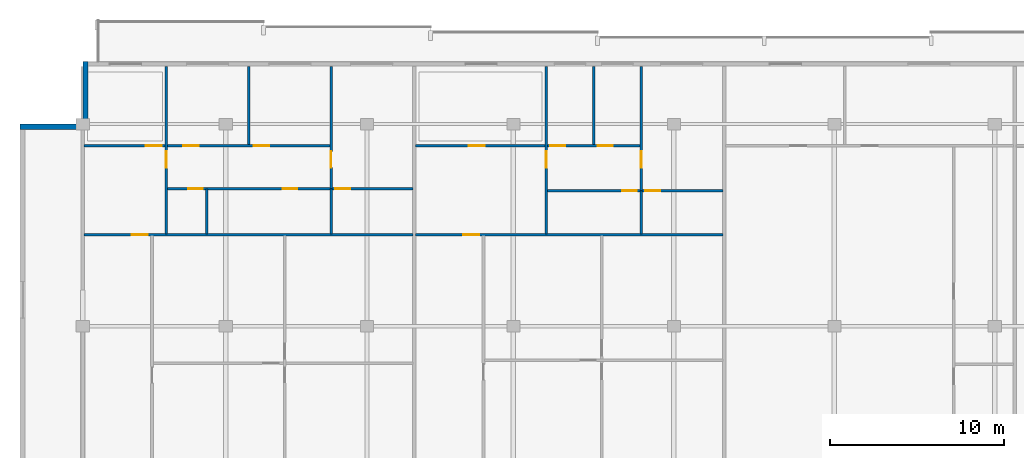
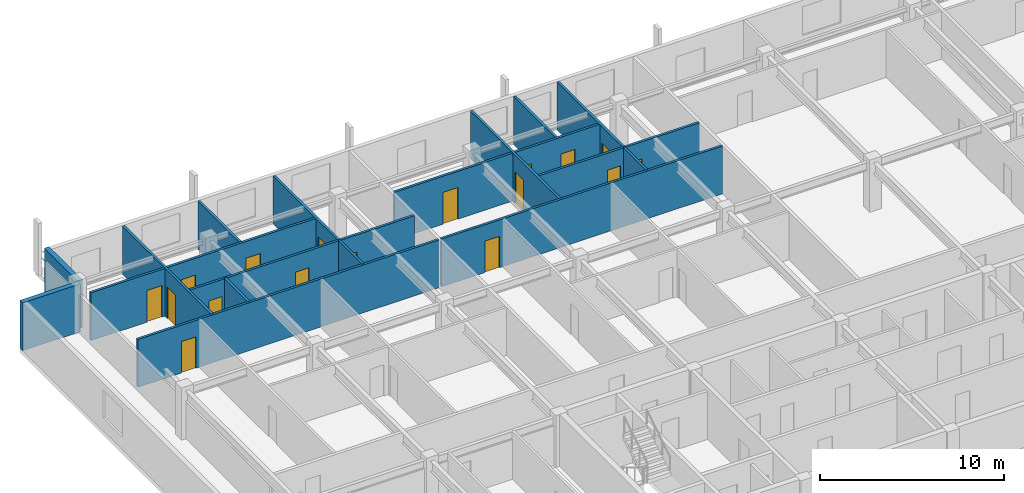
# One storey, part 7 of 11: 17 doors, 17 walls, 17 openings.
"""IFC4 building model written with IfcOpenShell, lengths in metres."""

from ifc_helpers import new_model, si_unit, direction, frame, frame_2d, origin, place, context, subcontext, project, spatial, rectangle, extrude, material, layer, layer_set, type_object, element, fill, save


model = new_model("IFC4")

# Units and contexts
model_context = context("Model", 3, precision=1e-05, world=origin(), true_north=direction((0.0, 1.0)))
body_context = subcontext(model_context, "Body", "Model", "MODEL_VIEW")
ifc_project = project(units=[si_unit("LENGTHUNIT", "METRE"), si_unit("AREAUNIT", "SQUARE_METRE"), si_unit("VOLUMEUNIT", "CUBIC_METRE"), si_unit("PLANEANGLEUNIT", "RADIAN"), si_unit("MASSUNIT", "GRAM", prefix="KILO")], contexts=[model_context])

# Site, building, storey
site_placement = place(None, origin())
site = spatial("IfcSite", under=ifc_project, at=site_placement, CompositionType="ELEMENT")
building_placement = place(site_placement, origin())
building = spatial("IfcBuilding", under=site, at=building_placement, Name="Korimba Cascade Residences", CompositionType="ELEMENT")
storey_placement = place(building_placement, frame((0.0, 0.0, 256.25)))
storey = spatial("IfcBuildingStorey", under=building, at=storey_placement, Name="L74", CompositionType="ELEMENT", Elevation=256.25)

# Walls
ifc_material_1 = material(Name="Precast concrete C40/50", Category="concrete")
ifc_layer_1 = layer(ifc_material_1, 0.300048828125)
ifc_layer_set_1 = layer_set([ifc_layer_1], Name="Precast concrete C40/50")
wall_type_1 = type_object("IfcWallType", Name="EW-STONE-300", PredefinedType="STANDARD", material=ifc_layer_set_1)
for number, where, z_axis, x_axis, name in (
    (1, (59.949951171875, 94.800048828125, 0.0), (0.0, 0.0, 1.0), (0.0, -1.0, 0.0), "L74 T1 Perimeter Stone Wall E07"),
    (2, (59.800048828125, 91.050048828125, 0.0), (0.0, 0.0, 1.0), (-1.0, 0.0, 0.0), "L74 T1 Perimeter Stone Wall E08"),
):
    element("IfcWall", number, at=place(storey_placement, frame(where, z_axis=z_axis, x_axis=x_axis)), inside=storey, type_object=wall_type_1, Name=name, PredefinedType="STANDARD", context=body_context, shape_type="SweptSolid", body=[
        extrude(rectangle(XDim=3.60009765625, YDim=0.300048828125, at=frame_2d((1.800048828125, 0.0))), origin(), (0.0, 0.0, 1.0), 3.169921875),
    ])
ifc_material_2 = material(Name="Insulated Acoustic Stud Partition", Category="gypsum")
ifc_layer_2 = layer(ifc_material_2, 0.14990234375)
ifc_layer_set_2 = layer_set([ifc_layer_2], Name="Insulated Acoustic Stud Partition")
wall_type_2 = type_object("IfcWallType", Name="WAL-PART-150", PredefinedType="PARTITIONING", material=ifc_layer_set_2)
wall_1_placement = place(storey_placement, frame((66.89990234375, 84.889892578125, 0.0), z_axis=(0.0, 0.0, 1.0), x_axis=(0.0, 1.0, 0.0)))
element("IfcWall", 3, at=wall_1_placement, inside=storey, type_object=wall_type_2, Name="L74 Partition Wall WAL-L74-T1-U01-VDRS", PredefinedType="PARTITIONING", context=body_context, shape_type="SweptSolid", body=[
    extrude(rectangle(XDim=2.580078125, YDim=0.14990234375, at=frame_2d((1.2900390625, 0.0))), origin(), (0.0, 0.0, 1.0), 3.169921875),
])
wall_2_placement = place(storey_placement, frame((69.314453125, 90.030029296875, 0.0), z_axis=(0.0, 0.0, 1.0), x_axis=(0.0, 1.0, 0.0)))
element("IfcWall", 4, at=wall_2_placement, inside=storey, type_object=wall_type_2, Name="L74 Partition Wall WAL-L74-T1-U01-VB3", PredefinedType="PARTITIONING", context=body_context, shape_type="SweptSolid", body=[
    extrude(rectangle(XDim=4.469970703125, YDim=0.14990234375, at=frame_2d((2.23486328125, 0.0))), origin(), (0.0, 0.0, 1.0), 3.169921875),
])

# Wall, opening, door
wall_3_placement = place(storey_placement, frame((64.590087890625, 84.889892578125, 0.0), z_axis=(0.0, 0.0, 1.0), x_axis=(0.0, 1.0, 0.0)))
wall_3 = element("IfcWall", 5, at=wall_3_placement, inside=storey, type_object=wall_type_2, Name="L74 Partition Wall WAL-L74-T1-U01-V1", PredefinedType="PARTITIONING", context=body_context, shape_type="SweptSolid", body=[
    extrude(rectangle(XDim=9.610107421875, YDim=0.14990234375, at=frame_2d((4.80517578125, 0.0))), origin(), (0.0, 0.0, 1.0), 3.169921875),
])
opening_1_placement = place(wall_3_placement, frame((3.820068359375, 0.0, 0.0)))
opening_1 = element("IfcOpeningElement", 6, at=opening_1_placement, cuts=wall_3, Name="Opening D-IN1", PredefinedType="OPENING", context=body_context, shape_type="SweptSolid", body=[
    extrude(rectangle(XDim=0.919921875, YDim=2.080078125, at=frame_2d((0.4599609375, 1.0400390625))), frame((0.0, 0.0849609375, 0.0), z_axis=(0.0, -1.0, 0.0), x_axis=(1.0, 0.0, 0.0)), (0.0, 0.0, 1.0), 0.169921875),
])
ifc_material_3 = material(Name="Acoustic Timber Living Door", Category="wood")
door_type_1 = type_object("IfcDoorType", Name="DR-INT-920", OperationType="NOTDEFINED", PredefinedType="DOOR", material=ifc_material_3)
door_1_placement = place(opening_1_placement, origin())
door_1 = element("IfcDoor", 7, at=door_1_placement, inside=storey, type_object=door_type_1, Name="L74-T1-U01 Hallway Door", OperationType="SINGLE_SWING_LEFT", OverallHeight=2.080078125, OverallWidth=0.919921875, PredefinedType="DOOR", context=body_context, shape_type="SweptSolid", body=[
    extrude(rectangle(XDim=0.919921875, YDim=2.080078125, at=frame_2d((0.4599609375, 1.0400390625))), frame((0.0, 0.02490234375, 0.0), z_axis=(0.0, -1.0, 0.0), x_axis=(1.0, 0.0, 0.0)), (0.0, 0.0, 1.0), 0.050048828125),
])
fill(opening_1, door_1)

# Wall
wall_4_placement = place(storey_placement, frame((74.0390625, 84.889892578125, 0.0), z_axis=(0.0, 0.0, 1.0), x_axis=(0.0, 1.0, 0.0)))
element("IfcWall", 8, at=wall_4_placement, inside=storey, type_object=wall_type_2, Name="L74 Partition Wall WAL-L74-T1-U01-VBATH", PredefinedType="PARTITIONING", context=body_context, shape_type="SweptSolid", body=[
    extrude(rectangle(XDim=2.580078125, YDim=0.14990234375, at=frame_2d((1.2900390625, 0.0))), origin(), (0.0, 0.0, 1.0), 3.169921875),
])

# Wall, opening, door
wall_5_placement = place(storey_placement, frame((74.0390625, 87.510009765625, 0.0), z_axis=(0.0, 0.0, 1.0), x_axis=(0.0, 1.0, 0.0)))
wall_5 = element("IfcWall", 9, at=wall_5_placement, inside=storey, type_object=wall_type_2, Name="L74 Partition Wall WAL-L74-T1-U01-V2FULL", PredefinedType="PARTITIONING", context=body_context, shape_type="SweptSolid", body=[
    extrude(rectangle(XDim=6.989990234375, YDim=0.14990234375, at=frame_2d((3.4951171875, 0.0))), origin(), (0.0, 0.0, 1.0), 3.169921875),
])
opening_2_placement = place(wall_5_placement, frame((1.199951171875, 0.0, 0.0)))
opening_2 = element("IfcOpeningElement", 10, at=opening_2_placement, cuts=wall_5, Name="Opening D-IN1", PredefinedType="OPENING", context=body_context, shape_type="SweptSolid", body=[
    extrude(rectangle(XDim=0.919921875, YDim=2.080078125, at=frame_2d((0.4599609375, 1.0400390625))), frame((0.0, 0.0849609375, 0.0), z_axis=(0.0, -1.0, 0.0), x_axis=(1.0, 0.0, 0.0)), (0.0, 0.0, 1.0), 0.169921875),
])
door_2_placement = place(opening_2_placement, origin())
door_2 = element("IfcDoor", 11, at=door_2_placement, inside=storey, type_object=door_type_1, Name="L74-T1-U01 Master Bedroom Door", OperationType="SINGLE_SWING_RIGHT", OverallHeight=2.080078125, OverallWidth=0.919921875, PredefinedType="DOOR", context=body_context, shape_type="SweptSolid", body=[
    extrude(rectangle(XDim=0.919921875, YDim=2.080078125, at=frame_2d((0.4599609375, 1.0400390625))), frame((0.0, 0.02490234375, 0.0), z_axis=(0.0, -1.0, 0.0), x_axis=(1.0, 0.0, 0.0)), (0.0, 0.0, 1.0), 0.050048828125),
])
fill(opening_2, door_2)

# Wall, openings, doors
wall_6_placement = place(storey_placement, frame((64.6298828125, 87.489990234375, 0.0), z_axis=(0.0, 0.0, 1.0), x_axis=(1.0, 0.0, 0.0)))
wall_6 = element("IfcWall", 12, at=wall_6_placement, inside=storey, type_object=wall_type_2, Name="L74 Partition Wall WAL-L74-T1-U01-HWALL", PredefinedType="PARTITIONING", context=body_context, shape_type="SweptSolid", body=[
    extrude(rectangle(XDim=14.09912109375, YDim=0.14990234375, at=frame_2d((7.049560546875, 0.0))), origin(), (0.0, 0.0, 1.0), 3.169921875),
])
opening_3_placement = place(wall_6_placement, frame((1.2099609375, 0.0, 0.0)))
opening_3 = element("IfcOpeningElement", 13, at=opening_3_placement, cuts=wall_6, Name="Opening D-BT1", PredefinedType="OPENING", context=body_context, shape_type="SweptSolid", body=[
    extrude(rectangle(XDim=0.840087890625, YDim=2.0400390625, at=frame_2d((0.419921875, 1.02001953125))), frame((0.0, 0.0849609375, 0.0), z_axis=(0.0, -1.0, 0.0), x_axis=(1.0, 0.0, 0.0)), (0.0, 0.0, 1.0), 0.169921875),
])
opening_4_placement = place(wall_6_placement, frame((6.629638671875, 0.0, 0.0)))
opening_4 = element("IfcOpeningElement", 14, at=opening_4_placement, cuts=wall_6, Name="Opening D-BT1", PredefinedType="OPENING", context=body_context, shape_type="SweptSolid", body=[
    extrude(rectangle(XDim=0.840087890625, YDim=2.0400390625, at=frame_2d((0.419921875, 1.02001953125))), frame((0.0, 0.0849609375, 0.0), z_axis=(0.0, -1.0, 0.0), x_axis=(1.0, 0.0, 0.0)), (0.0, 0.0, 1.0), 0.169921875),
])
opening_5_placement = place(wall_6_placement, frame((9.6591796875, 0.0, 0.0)))
opening_5 = element("IfcOpeningElement", 15, at=opening_5_placement, cuts=wall_6, Name="Opening D-BT1", PredefinedType="OPENING", context=body_context, shape_type="SweptSolid", body=[
    extrude(rectangle(XDim=0.840087890625, YDim=2.0400390625, at=frame_2d((0.419921875, 1.02001953125))), frame((0.0, 0.0849609375, 0.0), z_axis=(0.0, -1.0, 0.0), x_axis=(1.0, 0.0, 0.0)), (0.0, 0.0, 1.0), 0.169921875),
])
ifc_material_4 = material(Name="Moisture-Resistant Bathroom Timber Door", Category="wood")
door_type_2 = type_object("IfcDoorType", Name="DR-INT-850", OperationType="NOTDEFINED", PredefinedType="DOOR", material=ifc_material_4)
door_3_placement = place(opening_3_placement, origin())
door_3 = element("IfcDoor", 16, at=door_3_placement, inside=storey, type_object=door_type_2, Name="L74-T1-U01 Family Bathroom Door", OperationType="SINGLE_SWING_LEFT", OverallHeight=2.0400390625, OverallWidth=0.840087890625, PredefinedType="DOOR", context=body_context, shape_type="SweptSolid", body=[
    extrude(rectangle(XDim=0.840087890625, YDim=2.0400390625, at=frame_2d((0.419921875, 1.02001953125))), frame((0.0, 0.02490234375, 0.0), z_axis=(0.0, -1.0, 0.0), x_axis=(1.0, 0.0, 0.0)), (0.0, 0.0, 1.0), 0.050048828125),
])
fill(opening_3, door_3)
door_4_placement = place(opening_4_placement, origin())
door_4 = element("IfcDoor", 17, at=door_4_placement, inside=storey, type_object=door_type_2, Name="L74-T1-U01 Dressing Room Door", OperationType="SINGLE_SWING_RIGHT", OverallHeight=2.0400390625, OverallWidth=0.840087890625, PredefinedType="DOOR", context=body_context, shape_type="SweptSolid", body=[
    extrude(rectangle(XDim=0.840087890625, YDim=2.0400390625, at=frame_2d((0.419921875, 1.02001953125))), frame((0.0, 0.02490234375, 0.0), z_axis=(0.0, -1.0, 0.0), x_axis=(1.0, 0.0, 0.0)), (0.0, 0.0, 1.0), 0.050048828125),
])
fill(opening_4, door_4)
door_5_placement = place(opening_5_placement, origin())
door_5 = element("IfcDoor", 18, at=door_5_placement, inside=storey, type_object=door_type_2, Name="L74-T1-U01 En-Suite Door", OperationType="SINGLE_SWING_LEFT", OverallHeight=2.0400390625, OverallWidth=0.840087890625, PredefinedType="DOOR", context=body_context, shape_type="SweptSolid", body=[
    extrude(rectangle(XDim=0.840087890625, YDim=2.0400390625, at=frame_2d((0.419921875, 1.02001953125))), frame((0.0, 0.02490234375, 0.0), z_axis=(0.0, -1.0, 0.0), x_axis=(1.0, 0.0, 0.0)), (0.0, 0.0, 1.0), 0.050048828125),
])
fill(opening_5, door_5)

# Wall, opening, door
wall_7_placement = place(storey_placement, frame((59.8798828125, 84.85009765625, 0.0), z_axis=(0.0, 0.0, 1.0), x_axis=(1.0, 0.0, 0.0)))
wall_7 = element("IfcWall", 19, at=wall_7_placement, inside=storey, type_object=wall_type_2, Name="L74 Partition Wall WAL-L74-T1-U01-MW", PredefinedType="PARTITIONING", context=body_context, shape_type="SweptSolid", body=[
    extrude(rectangle(XDim=18.84912109375, YDim=0.14990234375, at=frame_2d((9.424560546875, 0.0))), origin(), (0.0, 0.0, 1.0), 3.169921875),
])
opening_6_placement = place(wall_7_placement, frame((2.719970703125, 0.0, 0.0)))
opening_6 = element("IfcOpeningElement", 20, at=opening_6_placement, cuts=wall_7, Name="Opening D-IN1", PredefinedType="OPENING", context=body_context, shape_type="SweptSolid", body=[
    extrude(rectangle(XDim=0.919921875, YDim=2.080078125, at=frame_2d((0.4599609375, 1.0400390625))), frame((0.0, 0.0849609375, 0.0), z_axis=(0.0, -1.0, 0.0), x_axis=(1.0, 0.0, 0.0)), (0.0, 0.0, 1.0), 0.169921875),
])
door_6_placement = place(opening_6_placement, origin())
door_6 = element("IfcDoor", 21, at=door_6_placement, inside=storey, type_object=door_type_1, Name="L74-T1-U01 Kitchen Door", OperationType="SINGLE_SWING_RIGHT", OverallHeight=2.080078125, OverallWidth=0.919921875, PredefinedType="DOOR", context=body_context, shape_type="SweptSolid", body=[
    extrude(rectangle(XDim=0.919921875, YDim=2.080078125, at=frame_2d((0.4599609375, 1.0400390625))), frame((0.0, 0.02490234375, 0.0), z_axis=(0.0, -1.0, 0.0), x_axis=(1.0, 0.0, 0.0)), (0.0, 0.0, 1.0), 0.050048828125),
])
fill(opening_6, door_6)

# Wall, openings, doors
wall_8_placement = place(storey_placement, frame((59.8798828125, 89.949951171875, 0.0), z_axis=(0.0, 0.0, 1.0), x_axis=(1.0, 0.0, 0.0)))
wall_8 = element("IfcWall", 22, at=wall_8_placement, inside=storey, type_object=wall_type_2, Name="L74 Partition Wall WAL-L74-T1-U01-HZ", PredefinedType="PARTITIONING", context=body_context, shape_type="SweptSolid", body=[
    extrude(rectangle(XDim=14.1591796875, YDim=0.14990234375, at=frame_2d((7.07958984375, 0.0))), origin(), (0.0, 0.0, 1.0), 3.169921875),
])
opening_7_placement = place(wall_8_placement, frame((3.52001953125, 0.0, 0.0)))
opening_7 = element("IfcOpeningElement", 23, at=opening_7_placement, cuts=wall_8, Name="Opening D-IN0", PredefinedType="OPENING", context=body_context, shape_type="SweptSolid", body=[
    extrude(rectangle(XDim=0.93994140625, YDim=2.10009765625, at=frame_2d((0.469970703125, 1.050048828125))), frame((0.0, 0.0849609375, 0.0), z_axis=(0.0, -1.0, 0.0), x_axis=(1.0, 0.0, 0.0)), (0.0, 0.0, 1.0), 0.169921875),
])
opening_8_placement = place(wall_8_placement, frame((5.678955078125, 0.0, 0.0)))
opening_8 = element("IfcOpeningElement", 24, at=opening_8_placement, cuts=wall_8, Name="Opening D-IN2", PredefinedType="OPENING", context=body_context, shape_type="SweptSolid", body=[
    extrude(rectangle(XDim=0.8798828125, YDim=2.06005859375, at=frame_2d((0.43994140625, 1.030029296875))), frame((0.0, 0.0849609375, 0.0), z_axis=(0.0, -1.0, 0.0), x_axis=(1.0, 0.0, 0.0)), (0.0, 0.0, 1.0), 0.169921875),
])
opening_9_placement = place(wall_8_placement, frame((9.72265625, 0.0, 0.0)))
opening_9 = element("IfcOpeningElement", 25, at=opening_9_placement, cuts=wall_8, Name="Opening D-IN2", PredefinedType="OPENING", context=body_context, shape_type="SweptSolid", body=[
    extrude(rectangle(XDim=0.8798828125, YDim=2.06005859375, at=frame_2d((0.43994140625, 1.030029296875))), frame((0.0, 0.0849609375, 0.0), z_axis=(0.0, -1.0, 0.0), x_axis=(1.0, 0.0, 0.0)), (0.0, 0.0, 1.0), 0.169921875),
])
ifc_material_5 = material(Name="Acoustic Timber Bedroom Door", Category="wood")
door_type_3 = type_object("IfcDoorType", Name="DR-INT-880", OperationType="NOTDEFINED", PredefinedType="DOOR", material=ifc_material_5)
door_7_placement = place(opening_8_placement, origin())
door_7 = element("IfcDoor", 26, at=door_7_placement, inside=storey, type_object=door_type_3, Name="L74-T1-U01 Bedroom 2 Door", OperationType="SINGLE_SWING_RIGHT", OverallHeight=2.06005859375, OverallWidth=0.8798828125, PredefinedType="DOOR", context=body_context, shape_type="SweptSolid", body=[
    extrude(rectangle(XDim=0.8798828125, YDim=2.06005859375, at=frame_2d((0.43994140625, 1.030029296875))), frame((0.0, 0.02490234375, 0.0), z_axis=(0.0, -1.0, 0.0), x_axis=(1.0, 0.0, 0.0)), (0.0, 0.0, 1.0), 0.050048828125),
])
fill(opening_8, door_7)
door_8_placement = place(opening_9_placement, origin())
door_8 = element("IfcDoor", 27, at=door_8_placement, inside=storey, type_object=door_type_3, Name="L74-T1-U01 Bedroom 3 Door", OperationType="SINGLE_SWING_LEFT", OverallHeight=2.06005859375, OverallWidth=0.8798828125, PredefinedType="DOOR", context=body_context, shape_type="SweptSolid", body=[
    extrude(rectangle(XDim=0.8798828125, YDim=2.06005859375, at=frame_2d((0.43994140625, 1.030029296875))), frame((0.0, 0.02490234375, 0.0), z_axis=(0.0, -1.0, 0.0), x_axis=(1.0, 0.0, 0.0)), (0.0, 0.0, 1.0), 0.050048828125),
])
fill(opening_9, door_8)
ifc_material_6 = material(Name="Acoustic Timber Living Archway Door", Category="wood")
door_type_4 = type_object("IfcDoorType", Name="DR-INT-950", OperationType="NOTDEFINED", PredefinedType="DOOR", material=ifc_material_6)
door_9_placement = place(opening_7_placement, origin())
door_9 = element("IfcDoor", 28, at=door_9_placement, inside=storey, type_object=door_type_4, Name="L74-T1-U01 Living Room Door", OperationType="SINGLE_SWING_LEFT", OverallHeight=2.10009765625, OverallWidth=0.93994140625, PredefinedType="DOOR", context=body_context, shape_type="SweptSolid", body=[
    extrude(rectangle(XDim=0.93994140625, YDim=2.10009765625, at=frame_2d((0.469970703125, 1.050048828125))), frame((0.0, 0.02490234375, 0.0), z_axis=(0.0, -1.0, 0.0), x_axis=(1.0, 0.0, 0.0)), (0.0, 0.0, 1.0), 0.050048828125),
])
fill(opening_7, door_9)

# Wall
wall_9_placement = place(storey_placement, frame((89.10009765625, 90.030029296875, 0.0), z_axis=(0.0, 0.0, 1.0), x_axis=(0.0, 1.0, 0.0)))
element("IfcWall", 29, at=wall_9_placement, inside=storey, type_object=wall_type_2, Name="L74 Partition Wall WAL-L74-T1-U02-VB3", PredefinedType="PARTITIONING", context=body_context, shape_type="SweptSolid", body=[
    extrude(rectangle(XDim=4.469970703125, YDim=0.14990234375, at=frame_2d((2.23486328125, 0.0))), origin(), (0.0, 0.0, 1.0), 3.169921875),
])

# Wall, opening, door
wall_10_placement = place(storey_placement, frame((86.3798828125, 84.889892578125, 0.0), z_axis=(0.0, 0.0, 1.0), x_axis=(0.0, 1.0, 0.0)))
wall_10 = element("IfcWall", 30, at=wall_10_placement, inside=storey, type_object=wall_type_2, Name="L74 Partition Wall WAL-L74-T1-U02-V1", PredefinedType="PARTITIONING", context=body_context, shape_type="SweptSolid", body=[
    extrude(rectangle(XDim=9.610107421875, YDim=0.14990234375, at=frame_2d((4.80517578125, 0.0))), origin(), (0.0, 0.0, 1.0), 3.169921875),
])
opening_10_placement = place(wall_10_placement, frame((3.820068359375, 0.0, 0.0)))
opening_10 = element("IfcOpeningElement", 31, at=opening_10_placement, cuts=wall_10, Name="Opening D-IN1", PredefinedType="OPENING", context=body_context, shape_type="SweptSolid", body=[
    extrude(rectangle(XDim=0.919921875, YDim=2.080078125, at=frame_2d((0.4599609375, 1.0400390625))), frame((0.0, 0.0849609375, 0.0), z_axis=(0.0, -1.0, 0.0), x_axis=(1.0, 0.0, 0.0)), (0.0, 0.0, 1.0), 0.169921875),
])
door_10_placement = place(opening_10_placement, origin())
door_10 = element("IfcDoor", 32, at=door_10_placement, inside=storey, type_object=door_type_1, Name="L74-T1-U02 Hallway Door", OperationType="SINGLE_SWING_RIGHT", OverallHeight=2.080078125, OverallWidth=0.919921875, PredefinedType="DOOR", context=body_context, shape_type="SweptSolid", body=[
    extrude(rectangle(XDim=0.919921875, YDim=2.080078125, at=frame_2d((0.4599609375, 1.0400390625))), frame((0.0, 0.02490234375, 0.0), z_axis=(0.0, -1.0, 0.0), x_axis=(1.0, 0.0, 0.0)), (0.0, 0.0, 1.0), 0.050048828125),
])
fill(opening_10, door_10)

# Wall
wall_11_placement = place(storey_placement, frame((91.820068359375, 84.889892578125, 0.0), z_axis=(0.0, 0.0, 1.0), x_axis=(0.0, 1.0, 0.0)))
element("IfcWall", 33, at=wall_11_placement, inside=storey, type_object=wall_type_2, Name="L74 Partition Wall WAL-L74-T1-U02-VBATH", PredefinedType="PARTITIONING", context=body_context, shape_type="SweptSolid", body=[
    extrude(rectangle(XDim=2.47021484375, YDim=0.14990234375, at=frame_2d((1.235107421875, 0.0))), origin(), (0.0, 0.0, 1.0), 3.169921875),
])

# Wall, opening, door
wall_12_placement = place(storey_placement, frame((91.820068359375, 87.39990234375, 0.0), z_axis=(0.0, 0.0, 1.0), x_axis=(0.0, 1.0, 0.0)))
wall_12 = element("IfcWall", 34, at=wall_12_placement, inside=storey, type_object=wall_type_2, Name="L74 Partition Wall WAL-L74-T1-U02-V2FULL", PredefinedType="PARTITIONING", context=body_context, shape_type="SweptSolid", body=[
    extrude(rectangle(XDim=7.10009765625, YDim=0.14990234375, at=frame_2d((3.550048828125, 0.0))), origin(), (0.0, 0.0, 1.0), 3.169921875),
])
opening_11_placement = place(wall_12_placement, frame((1.31005859375, 0.0, 0.0)))
opening_11 = element("IfcOpeningElement", 35, at=opening_11_placement, cuts=wall_12, Name="Opening D-IN1", PredefinedType="OPENING", context=body_context, shape_type="SweptSolid", body=[
    extrude(rectangle(XDim=0.919921875, YDim=2.080078125, at=frame_2d((0.4599609375, 1.0400390625))), frame((0.0, 0.0849609375, 0.0), z_axis=(0.0, -1.0, 0.0), x_axis=(1.0, 0.0, 0.0)), (0.0, 0.0, 1.0), 0.169921875),
])
door_11_placement = place(opening_11_placement, origin())
door_11 = element("IfcDoor", 36, at=door_11_placement, inside=storey, type_object=door_type_1, Name="L74-T1-U02 Master Bedroom Door", OperationType="SINGLE_SWING_LEFT", OverallHeight=2.080078125, OverallWidth=0.919921875, PredefinedType="DOOR", context=body_context, shape_type="SweptSolid", body=[
    extrude(rectangle(XDim=0.919921875, YDim=2.080078125, at=frame_2d((0.4599609375, 1.0400390625))), frame((0.0, 0.02490234375, 0.0), z_axis=(0.0, -1.0, 0.0), x_axis=(1.0, 0.0, 0.0)), (0.0, 0.0, 1.0), 0.050048828125),
])
fill(opening_11, door_11)

# Wall, openings, doors
wall_13_placement = place(storey_placement, frame((86.419921875, 87.3798828125, 0.0), z_axis=(0.0, 0.0, 1.0), x_axis=(1.0, 0.0, 0.0)))
wall_13 = element("IfcWall", 37, at=wall_13_placement, inside=storey, type_object=wall_type_2, Name="L74 Partition Wall WAL-L74-T1-U02-HWALL", PredefinedType="PARTITIONING", context=body_context, shape_type="SweptSolid", body=[
    extrude(rectangle(XDim=10.088623046875, YDim=0.14990234375, at=frame_2d((5.04443359375, 0.0))), origin(), (0.0, 0.0, 1.0), 3.169921875),
])
opening_12_placement = place(wall_13_placement, frame((4.31005859375, 0.0, 0.0)))
opening_12 = element("IfcOpeningElement", 38, at=opening_12_placement, cuts=wall_13, Name="Opening D-BT1", PredefinedType="OPENING", context=body_context, shape_type="SweptSolid", body=[
    extrude(rectangle(XDim=0.840087890625, YDim=2.0400390625, at=frame_2d((0.419921875, 1.02001953125))), frame((0.0, 0.0849609375, 0.0), z_axis=(0.0, -1.0, 0.0), x_axis=(1.0, 0.0, 0.0)), (0.0, 0.0, 1.0), 0.169921875),
])
opening_13_placement = place(wall_13_placement, frame((5.64990234375, 0.0, 0.0)))
opening_13 = element("IfcOpeningElement", 39, at=opening_13_placement, cuts=wall_13, Name="Opening D-BT1", PredefinedType="OPENING", context=body_context, shape_type="SweptSolid", body=[
    extrude(rectangle(XDim=0.840087890625, YDim=2.0400390625, at=frame_2d((0.419921875, 1.02001953125))), frame((0.0, 0.0849609375, 0.0), z_axis=(0.0, -1.0, 0.0), x_axis=(1.0, 0.0, 0.0)), (0.0, 0.0, 1.0), 0.169921875),
])
door_12_placement = place(opening_12_placement, origin())
door_12 = element("IfcDoor", 40, at=door_12_placement, inside=storey, type_object=door_type_2, Name="L74-T1-U02 Family Bathroom Door", OperationType="SINGLE_SWING_RIGHT", OverallHeight=2.0400390625, OverallWidth=0.840087890625, PredefinedType="DOOR", context=body_context, shape_type="SweptSolid", body=[
    extrude(rectangle(XDim=0.840087890625, YDim=2.0400390625, at=frame_2d((0.419921875, 1.02001953125))), frame((0.0, 0.02490234375, 0.0), z_axis=(0.0, -1.0, 0.0), x_axis=(1.0, 0.0, 0.0)), (0.0, 0.0, 1.0), 0.050048828125),
])
fill(opening_12, door_12)
door_13_placement = place(opening_13_placement, origin())
door_13 = element("IfcDoor", 41, at=door_13_placement, inside=storey, type_object=door_type_2, Name="L74-T1-U02 En-Suite Door", OperationType="SINGLE_SWING_LEFT", OverallHeight=2.0400390625, OverallWidth=0.840087890625, PredefinedType="DOOR", context=body_context, shape_type="SweptSolid", body=[
    extrude(rectangle(XDim=0.840087890625, YDim=2.0400390625, at=frame_2d((0.419921875, 1.02001953125))), frame((0.0, 0.02490234375, 0.0), z_axis=(0.0, -1.0, 0.0), x_axis=(1.0, 0.0, 0.0)), (0.0, 0.0, 1.0), 0.050048828125),
])
fill(opening_13, door_13)

# Wall, opening, door
wall_14_placement = place(storey_placement, frame((78.88916015625, 84.85009765625, 0.0), z_axis=(0.0, 0.0, 1.0), x_axis=(1.0, 0.0, 0.0)))
wall_14 = element("IfcWall", 42, at=wall_14_placement, inside=storey, type_object=wall_type_2, Name="L74 Partition Wall WAL-L74-T1-U02-MW", PredefinedType="PARTITIONING", context=body_context, shape_type="SweptSolid", body=[
    extrude(rectangle(XDim=17.619384765625, YDim=0.14990234375, at=frame_2d((8.8095703125, 0.0))), origin(), (0.0, 0.0, 1.0), 3.169921875),
])
opening_14_placement = place(wall_14_placement, frame((2.719970703125, 0.0, 0.0)))
opening_14 = element("IfcOpeningElement", 43, at=opening_14_placement, cuts=wall_14, Name="Opening D-IN1", PredefinedType="OPENING", context=body_context, shape_type="SweptSolid", body=[
    extrude(rectangle(XDim=0.919921875, YDim=2.080078125, at=frame_2d((0.4599609375, 1.0400390625))), frame((0.0, 0.0849609375, 0.0), z_axis=(0.0, -1.0, 0.0), x_axis=(1.0, 0.0, 0.0)), (0.0, 0.0, 1.0), 0.169921875),
])
door_14_placement = place(opening_14_placement, origin())
door_14 = element("IfcDoor", 44, at=door_14_placement, inside=storey, type_object=door_type_1, Name="L74-T1-U02 Kitchen Door", OperationType="SINGLE_SWING_RIGHT", OverallHeight=2.080078125, OverallWidth=0.919921875, PredefinedType="DOOR", context=body_context, shape_type="SweptSolid", body=[
    extrude(rectangle(XDim=0.919921875, YDim=2.080078125, at=frame_2d((0.4599609375, 1.0400390625))), frame((0.0, 0.02490234375, 0.0), z_axis=(0.0, -1.0, 0.0), x_axis=(1.0, 0.0, 0.0)), (0.0, 0.0, 1.0), 0.050048828125),
])
fill(opening_14, door_14)

# Wall, openings, doors
wall_15_placement = place(storey_placement, frame((78.88916015625, 89.949951171875, 0.0), z_axis=(0.0, 0.0, 1.0), x_axis=(1.0, 0.0, 0.0)))
wall_15 = element("IfcWall", 45, at=wall_15_placement, inside=storey, type_object=wall_type_2, Name="L74 Partition Wall WAL-L74-T1-U02-HZ", PredefinedType="PARTITIONING", context=body_context, shape_type="SweptSolid", body=[
    extrude(rectangle(XDim=12.930908203125, YDim=0.14990234375, at=frame_2d((6.46533203125, 0.0))), origin(), (0.0, 0.0, 1.0), 3.169921875),
])
opening_15_placement = place(wall_15_placement, frame((3.033447265625, 0.0, 0.0)))
opening_15 = element("IfcOpeningElement", 46, at=opening_15_placement, cuts=wall_15, Name="Opening D-IN0", PredefinedType="OPENING", context=body_context, shape_type="SweptSolid", body=[
    extrude(rectangle(XDim=0.93994140625, YDim=2.10009765625, at=frame_2d((0.469970703125, 1.050048828125))), frame((0.0, 0.0849609375, 0.0), z_axis=(0.0, -1.0, 0.0), x_axis=(1.0, 0.0, 0.0)), (0.0, 0.0, 1.0), 0.169921875),
])
opening_16_placement = place(wall_15_placement, frame((7.7109375, 0.0, 0.0)))
opening_16 = element("IfcOpeningElement", 47, at=opening_16_placement, cuts=wall_15, Name="Opening D-IN2", PredefinedType="OPENING", context=body_context, shape_type="SweptSolid", body=[
    extrude(rectangle(XDim=0.8798828125, YDim=2.06005859375, at=frame_2d((0.43994140625, 1.030029296875))), frame((0.0, 0.0849609375, 0.0), z_axis=(0.0, -1.0, 0.0), x_axis=(1.0, 0.0, 0.0)), (0.0, 0.0, 1.0), 0.169921875),
])
opening_17_placement = place(wall_15_placement, frame((10.430908203125, 0.0, 0.0)))
opening_17 = element("IfcOpeningElement", 48, at=opening_17_placement, cuts=wall_15, Name="Opening D-IN2", PredefinedType="OPENING", context=body_context, shape_type="SweptSolid", body=[
    extrude(rectangle(XDim=0.8798828125, YDim=2.06005859375, at=frame_2d((0.43994140625, 1.030029296875))), frame((0.0, 0.0849609375, 0.0), z_axis=(0.0, -1.0, 0.0), x_axis=(1.0, 0.0, 0.0)), (0.0, 0.0, 1.0), 0.169921875),
])
door_15_placement = place(opening_16_placement, origin())
door_15 = element("IfcDoor", 49, at=door_15_placement, inside=storey, type_object=door_type_3, Name="L74-T1-U02 Bedroom 2 Door", OperationType="SINGLE_SWING_RIGHT", OverallHeight=2.06005859375, OverallWidth=0.8798828125, PredefinedType="DOOR", context=body_context, shape_type="SweptSolid", body=[
    extrude(rectangle(XDim=0.8798828125, YDim=2.06005859375, at=frame_2d((0.43994140625, 1.030029296875))), frame((0.0, 0.02490234375, 0.0), z_axis=(0.0, -1.0, 0.0), x_axis=(1.0, 0.0, 0.0)), (0.0, 0.0, 1.0), 0.050048828125),
])
fill(opening_16, door_15)
door_16_placement = place(opening_17_placement, origin())
door_16 = element("IfcDoor", 50, at=door_16_placement, inside=storey, type_object=door_type_3, Name="L74-T1-U02 Bedroom 3 Door", OperationType="SINGLE_SWING_LEFT", OverallHeight=2.06005859375, OverallWidth=0.8798828125, PredefinedType="DOOR", context=body_context, shape_type="SweptSolid", body=[
    extrude(rectangle(XDim=0.8798828125, YDim=2.06005859375, at=frame_2d((0.43994140625, 1.030029296875))), frame((0.0, 0.02490234375, 0.0), z_axis=(0.0, -1.0, 0.0), x_axis=(1.0, 0.0, 0.0)), (0.0, 0.0, 1.0), 0.050048828125),
])
fill(opening_17, door_16)
door_17_placement = place(opening_15_placement, origin())
door_17 = element("IfcDoor", 51, at=door_17_placement, inside=storey, type_object=door_type_4, Name="L74-T1-U02 Living Room Door", OperationType="SINGLE_SWING_LEFT", OverallHeight=2.10009765625, OverallWidth=0.93994140625, PredefinedType="DOOR", context=body_context, shape_type="SweptSolid", body=[
    extrude(rectangle(XDim=0.93994140625, YDim=2.10009765625, at=frame_2d((0.469970703125, 1.050048828125))), frame((0.0, 0.02490234375, 0.0), z_axis=(0.0, -1.0, 0.0), x_axis=(1.0, 0.0, 0.0)), (0.0, 0.0, 1.0), 0.050048828125),
])
fill(opening_15, door_17)

save(model, "model.ifc")
